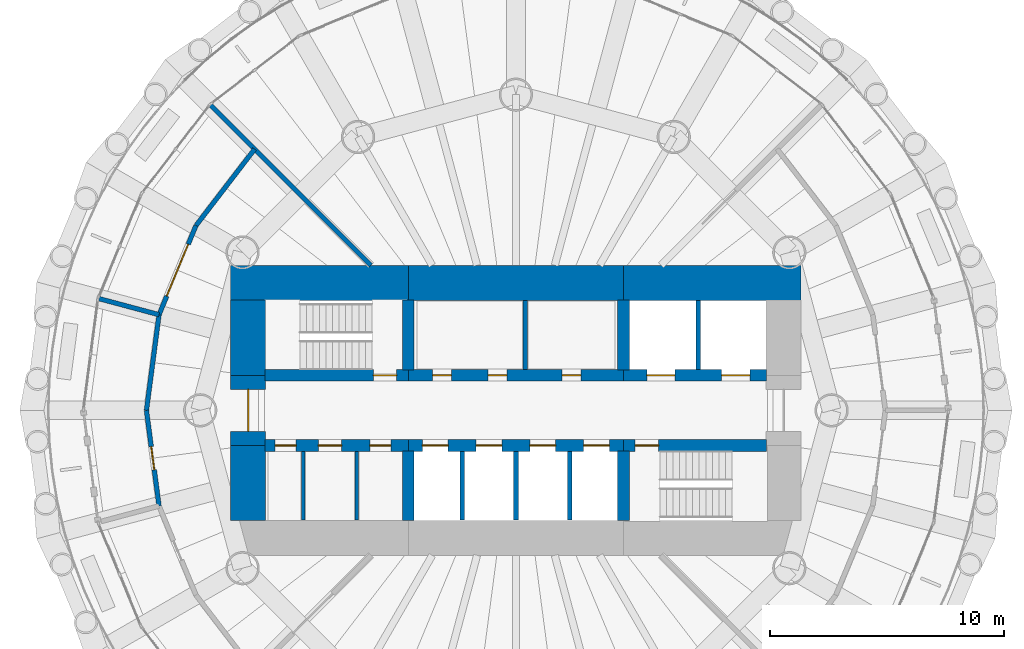
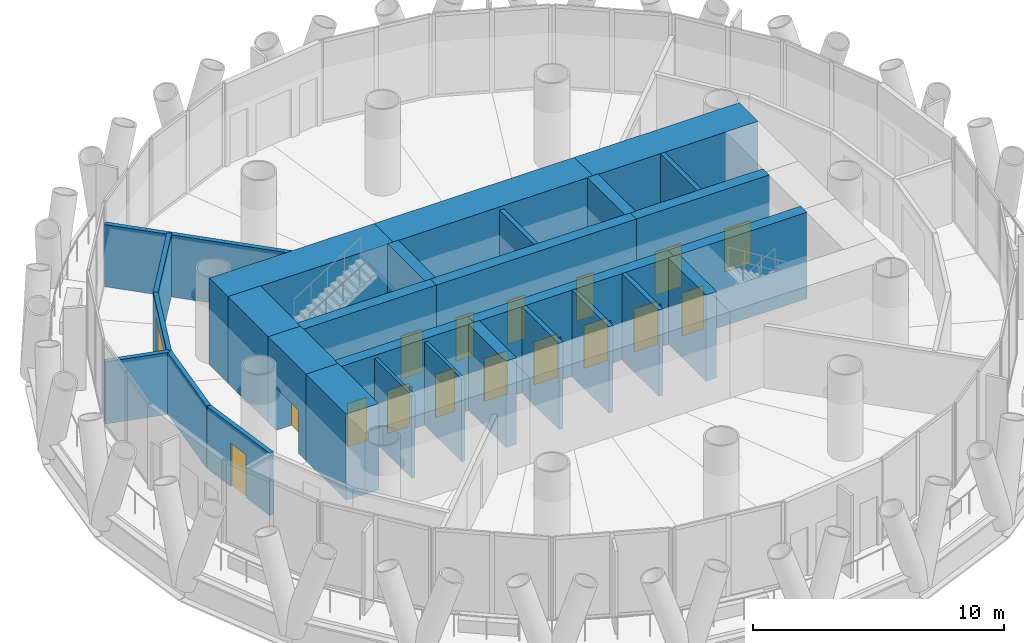
# One storey, part 8 of 12: 29 walls, 17 doors, 17 openings.
"""IFC4 building model written with IfcOpenShell, lengths in metres."""

from ifc_helpers import new_model, si_unit, direction, frame, frame_2d, origin, place, context, subcontext, project, spatial, rectangle, extrude, material, layer, layer_set, type_object, element, fill, save


model = new_model("IFC4")

# Units and contexts
model_context = context("Model", 3, precision=1e-05, world=origin(), true_north=direction((0.0, 1.0)))
body_context = subcontext(model_context, "Body", "Model", "MODEL_VIEW")
ifc_project = project(units=[si_unit("LENGTHUNIT", "METRE"), si_unit("AREAUNIT", "SQUARE_METRE"), si_unit("VOLUMEUNIT", "CUBIC_METRE"), si_unit("PLANEANGLEUNIT", "RADIAN"), si_unit("MASSUNIT", "GRAM", prefix="KILO")], contexts=[model_context])

# Site, building, storey
site_placement = place(None, origin())
site = spatial("IfcSite", under=ifc_project, at=site_placement, CompositionType="ELEMENT")
building_placement = place(site_placement, origin())
building = spatial("IfcBuilding", under=site, at=building_placement, Name="Qaws Media Tower", CompositionType="ELEMENT")
storey_placement = place(building_placement, frame((0.0, 0.0, 278.0)))
storey = spatial("IfcBuildingStorey", under=building, at=storey_placement, Name="L64", CompositionType="ELEMENT", Elevation=278.0)

# Wall, opening, door
ifc_material_1 = material(Name="Concrete C60/75", Category="concrete")
ifc_layer_1 = layer(ifc_material_1, 0.5)
ifc_layer_set_1 = layer_set([ifc_layer_1], Name="Core inner wall 500")
wall_type_1 = type_object("IfcWallType", Name="Core inner wall 500", PredefinedType="SHEAR", material=ifc_layer_set_1)
wall_1_placement = place(storey_placement, frame((49.280029296875, 51.5, 0.0), z_axis=(0.0, 0.0, 1.0), x_axis=(1.0, 0.0, 0.0)))
wall_1 = element("IfcWall", 1, at=wall_1_placement, inside=storey, type_object=wall_type_1, Name="W347 SW12 core wall SPNW L64", PredefinedType="SHEAR", context=body_context, shape_type="SweptSolid", body=[
    extrude(rectangle(XDim=6.119873046875, YDim=0.5, at=frame_2d((3.06005859375, 0.0))), origin(), (0.0, 0.0, 1.0), 4.199951171875),
])
opening_1_placement = place(wall_1_placement, frame((4.6201171875, 0.0, 0.0)))
opening_1 = element("IfcOpeningElement", 2, at=opening_1_placement, cuts=wall_1, Name="Opening D1", PredefinedType="OPENING", context=body_context, shape_type="SweptSolid", body=[
    extrude(rectangle(XDim=1.0, YDim=2.10009765625, at=frame_2d((0.5, 1.050048828125))), frame((0.0, 0.260009765625, 0.0), z_axis=(0.0, -1.0, 0.0), x_axis=(1.0, 0.0, 0.0)), (0.0, 0.0, 1.0), 0.52001953125),
])
ifc_material_2 = material(Name="Steel, fire rated", Category="steel")
door_type_1 = type_object("IfcDoorType", Name="Stair door 1000 FD120", OperationType="SINGLE_SWING_LEFT", PredefinedType="DOOR", material=ifc_material_2)
door_1_placement = place(opening_1_placement, origin())
door_1 = element("IfcDoor", 3, at=door_1_placement, inside=storey, type_object=door_type_1, Name="D1 stair S1 door L64 in wall W347", OperationType="SINGLE_SWING_LEFT", OverallHeight=2.10009765625, OverallWidth=1.0, PredefinedType="DOOR", context=body_context, shape_type="SweptSolid", body=[
    extrude(rectangle(XDim=1.0, YDim=2.10009765625, at=frame_2d((0.5, 1.050048828125))), frame((0.0, 0.02490234375, 0.0), z_axis=(0.0, -1.0, 0.0), x_axis=(1.0, 0.0, 0.0)), (0.0, 0.0, 1.0), 0.050048828125),
])
fill(opening_1, door_1)

# Wall, openings, doors
wall_2_placement = place(storey_placement, frame((55.39990234375, 51.5, 0.0), z_axis=(0.0, 0.0, 1.0), x_axis=(1.0, 0.0, 0.0)))
wall_2 = element("IfcWall", 4, at=wall_2_placement, inside=storey, type_object=wall_type_1, Name="W332 SW12 core wall SPN L64", PredefinedType="SHEAR", context=body_context, shape_type="SweptSolid", body=[
    extrude(rectangle(XDim=9.2001953125, YDim=0.5, at=frame_2d((4.60009765625, 0.0))), origin(), (0.0, 0.0, 1.0), 4.199951171875),
])
opening_2_placement = place(wall_2_placement, frame((1.036376953125, 0.0, 0.0)))
opening_2 = element("IfcOpeningElement", 5, at=opening_2_placement, cuts=wall_2, Name="Opening D23", PredefinedType="OPENING", context=body_context, shape_type="SweptSolid", body=[
    extrude(rectangle(XDim=0.800048828125, YDim=2.10009765625, at=frame_2d((0.39990234375, 1.050048828125))), frame((0.0, 0.260009765625, 0.0), z_axis=(0.0, -1.0, 0.0), x_axis=(1.0, 0.0, 0.0)), (0.0, 0.0, 1.0), 0.52001953125),
])
opening_3_placement = place(wall_2_placement, frame((3.4091796875, 0.0, 0.0)))
opening_3 = element("IfcOpeningElement", 6, at=opening_3_placement, cuts=wall_2, Name="Opening D23", PredefinedType="OPENING", context=body_context, shape_type="SweptSolid", body=[
    extrude(rectangle(XDim=0.800048828125, YDim=2.10009765625, at=frame_2d((0.39990234375, 1.050048828125))), frame((0.0, 0.260009765625, 0.0), z_axis=(0.0, -1.0, 0.0), x_axis=(1.0, 0.0, 0.0)), (0.0, 0.0, 1.0), 0.52001953125),
])
opening_4_placement = place(wall_2_placement, frame((6.57275390625, 0.0, 0.0)))
opening_4 = element("IfcOpeningElement", 7, at=opening_4_placement, cuts=wall_2, Name="Opening D23", PredefinedType="OPENING", context=body_context, shape_type="SweptSolid", body=[
    extrude(rectangle(XDim=0.800048828125, YDim=2.10009765625, at=frame_2d((0.39990234375, 1.050048828125))), frame((0.0, 0.260009765625, 0.0), z_axis=(0.0, -1.0, 0.0), x_axis=(1.0, 0.0, 0.0)), (0.0, 0.0, 1.0), 0.52001953125),
])
ifc_material_3 = material(Name="Steel, fire rated", Category="steel")
door_type_2 = type_object("IfcDoorType", Name="Core room door 800x2100", OperationType="SINGLE_SWING_LEFT", PredefinedType="DOOR", material=ifc_material_3)
door_2_placement = place(opening_2_placement, origin())
door_2 = element("IfcDoor", 8, at=door_2_placement, inside=storey, type_object=door_type_2, Name="D23 Ladies toilets door L64 1 in wall W332", OperationType="SINGLE_SWING_LEFT", OverallHeight=2.10009765625, OverallWidth=0.800048828125, PredefinedType="DOOR", context=body_context, shape_type="SweptSolid", body=[
    extrude(rectangle(XDim=0.800048828125, YDim=2.10009765625, at=frame_2d((0.39990234375, 1.050048828125))), frame((0.0, 0.02490234375, 0.0), z_axis=(0.0, -1.0, 0.0), x_axis=(1.0, 0.0, 0.0)), (0.0, 0.0, 1.0), 0.050048828125),
])
fill(opening_2, door_2)
door_3_placement = place(opening_3_placement, origin())
door_3 = element("IfcDoor", 9, at=door_3_placement, inside=storey, type_object=door_type_2, Name="D23 Ladies toilets door L64 2 in wall W332", OperationType="SINGLE_SWING_LEFT", OverallHeight=2.10009765625, OverallWidth=0.800048828125, PredefinedType="DOOR", context=body_context, shape_type="SweptSolid", body=[
    extrude(rectangle(XDim=0.800048828125, YDim=2.10009765625, at=frame_2d((0.39990234375, 1.050048828125))), frame((0.0, 0.02490234375, 0.0), z_axis=(0.0, -1.0, 0.0), x_axis=(1.0, 0.0, 0.0)), (0.0, 0.0, 1.0), 0.050048828125),
])
fill(opening_3, door_3)
door_4_placement = place(opening_4_placement, origin())
door_4 = element("IfcDoor", 10, at=door_4_placement, inside=storey, type_object=door_type_2, Name="D23 Gents toilets door L64 in wall W332", OperationType="SINGLE_SWING_LEFT", OverallHeight=2.10009765625, OverallWidth=0.800048828125, PredefinedType="DOOR", context=body_context, shape_type="SweptSolid", body=[
    extrude(rectangle(XDim=0.800048828125, YDim=2.10009765625, at=frame_2d((0.39990234375, 1.050048828125))), frame((0.0, 0.02490234375, 0.0), z_axis=(0.0, -1.0, 0.0), x_axis=(1.0, 0.0, 0.0)), (0.0, 0.0, 1.0), 0.050048828125),
])
fill(opening_4, door_4)

wall_3_placement = place(storey_placement, frame((64.60009765625, 51.5, 0.0), z_axis=(0.0, 0.0, 1.0), x_axis=(1.0, 0.0, 0.0)))
wall_3 = element("IfcWall", 11, at=wall_3_placement, inside=storey, type_object=wall_type_1, Name="W352 SW12 core wall SPNE L64", PredefinedType="SHEAR", context=body_context, shape_type="SweptSolid", body=[
    extrude(rectangle(XDim=6.119873046875, YDim=0.5, at=frame_2d((3.06005859375, 0.0))), origin(), (0.0, 0.0, 1.0), 4.199951171875),
])
opening_5_placement = place(wall_3_placement, frame((1.0, 0.0, 0.0)))
opening_5 = element("IfcOpeningElement", 12, at=opening_5_placement, cuts=wall_3, Name="Opening LD2", PredefinedType="OPENING", context=body_context, shape_type="SweptSolid", body=[
    extrude(rectangle(XDim=1.199951171875, YDim=2.10009765625, at=frame_2d((0.60009765625, 1.050048828125))), frame((0.0, 0.260009765625, 0.0), z_axis=(0.0, -1.0, 0.0), x_axis=(1.0, 0.0, 0.0)), (0.0, 0.0, 1.0), 0.52001953125),
])
opening_6_placement = place(wall_3_placement, frame((4.199951171875, 0.0, 0.0)))
opening_6 = element("IfcOpeningElement", 13, at=opening_6_placement, cuts=wall_3, Name="Opening LD2", PredefinedType="OPENING", context=body_context, shape_type="SweptSolid", body=[
    extrude(rectangle(XDim=1.199951171875, YDim=2.10009765625, at=frame_2d((0.60009765625, 1.050048828125))), frame((0.0, 0.260009765625, 0.0), z_axis=(0.0, -1.0, 0.0), x_axis=(1.0, 0.0, 0.0)), (0.0, 0.0, 1.0), 0.52001953125),
])
ifc_material_4 = material(Name="Steel, fire rated", Category="steel")
door_type_3 = type_object("IfcDoorType", Name="Lift landing door 1200", OperationType="SLIDING_TO_LEFT", PredefinedType="DOOR", material=ifc_material_4)
door_5_placement = place(opening_5_placement, origin())
door_5 = element("IfcDoor", 14, at=door_5_placement, inside=storey, type_object=door_type_3, Name="FL1 landing door L64 in wall W352", OperationType="SLIDING_TO_LEFT", OverallHeight=2.10009765625, OverallWidth=1.199951171875, PredefinedType="DOOR", context=body_context, shape_type="SweptSolid", body=[
    extrude(rectangle(XDim=1.199951171875, YDim=2.10009765625, at=frame_2d((0.60009765625, 1.050048828125))), frame((0.0, 0.02490234375, 0.0), z_axis=(0.0, -1.0, 0.0), x_axis=(1.0, 0.0, 0.0)), (0.0, 0.0, 1.0), 0.050048828125),
])
fill(opening_5, door_5)
door_6_placement = place(opening_6_placement, origin())
door_6 = element("IfcDoor", 15, at=door_6_placement, inside=storey, type_object=door_type_3, Name="FL2 landing door L64 in wall W352", OperationType="SLIDING_TO_LEFT", OverallHeight=2.10009765625, OverallWidth=1.199951171875, PredefinedType="DOOR", context=body_context, shape_type="SweptSolid", body=[
    extrude(rectangle(XDim=1.199951171875, YDim=2.10009765625, at=frame_2d((0.60009765625, 1.050048828125))), frame((0.0, 0.02490234375, 0.0), z_axis=(0.0, -1.0, 0.0), x_axis=(1.0, 0.0, 0.0)), (0.0, 0.0, 1.0), 0.050048828125),
])
fill(opening_6, door_6)

wall_4_placement = place(storey_placement, frame((49.280029296875, 48.5, 0.0), z_axis=(0.0, 0.0, 1.0), x_axis=(1.0, 0.0, 0.0)))
wall_4 = element("IfcWall", 16, at=wall_4_placement, inside=storey, type_object=wall_type_1, Name="W346 SW12 core wall SPSW L64", PredefinedType="SHEAR", context=body_context, shape_type="SweptSolid", body=[
    extrude(rectangle(XDim=6.119873046875, YDim=0.5, at=frame_2d((3.06005859375, 0.0))), origin(), (0.0, 0.0, 1.0), 4.199951171875),
])
opening_7_placement = place(wall_4_placement, frame((0.419921875, 0.0, 0.0)))
opening_7 = element("IfcOpeningElement", 17, at=opening_7_placement, cuts=wall_4, Name="Opening D25", PredefinedType="OPENING", context=body_context, shape_type="SweptSolid", body=[
    extrude(rectangle(XDim=0.89990234375, YDim=2.10009765625, at=frame_2d((0.449951171875, 1.050048828125))), frame((0.0, 0.260009765625, 0.0), z_axis=(0.0, -1.0, 0.0), x_axis=(1.0, 0.0, 0.0)), (0.0, 0.0, 1.0), 0.52001953125),
])
opening_8_placement = place(wall_4_placement, frame((2.27001953125, 0.0, 0.0)))
opening_8 = element("IfcOpeningElement", 18, at=opening_8_placement, cuts=wall_4, Name="Opening D4", PredefinedType="OPENING", context=body_context, shape_type="SweptSolid", body=[
    extrude(rectangle(XDim=1.0, YDim=2.10009765625, at=frame_2d((0.5, 1.050048828125))), frame((0.0, 0.260009765625, 0.0), z_axis=(0.0, -1.0, 0.0), x_axis=(1.0, 0.0, 0.0)), (0.0, 0.0, 1.0), 0.52001953125),
])
opening_9_placement = place(wall_4_placement, frame((4.469970703125, 0.0, 0.0)))
opening_9 = element("IfcOpeningElement", 19, at=opening_9_placement, cuts=wall_4, Name="Opening D25", PredefinedType="OPENING", context=body_context, shape_type="SweptSolid", body=[
    extrude(rectangle(XDim=0.89990234375, YDim=2.10009765625, at=frame_2d((0.449951171875, 1.050048828125))), frame((0.0, 0.260009765625, 0.0), z_axis=(0.0, -1.0, 0.0), x_axis=(1.0, 0.0, 0.0)), (0.0, 0.0, 1.0), 0.52001953125),
])
ifc_material_5 = material(Name="Timber veneered", Category="wood")
door_type_4 = type_object("IfcDoorType", Name="Accessible WC door 1000", OperationType="SLIDING_TO_LEFT", PredefinedType="DOOR", material=ifc_material_5)
door_7_placement = place(opening_8_placement, origin())
door_7 = element("IfcDoor", 20, at=door_7_placement, inside=storey, type_object=door_type_4, Name="D4 toilet door 2 L64 in wall W346", OperationType="SLIDING_TO_LEFT", OverallHeight=2.10009765625, OverallWidth=1.0, PredefinedType="DOOR", context=body_context, shape_type="SweptSolid", body=[
    extrude(rectangle(XDim=1.0, YDim=2.10009765625, at=frame_2d((0.5, 1.050048828125))), frame((0.0, 0.02490234375, 0.0), z_axis=(0.0, -1.0, 0.0), x_axis=(1.0, 0.0, 0.0)), (0.0, 0.0, 1.0), 0.050048828125),
])
fill(opening_8, door_7)
ifc_material_6 = material(Name="Steel, fire rated", Category="steel")
door_type_5 = type_object("IfcDoorType", Name="Core service door 900", OperationType="SINGLE_SWING_RIGHT", PredefinedType="DOOR", material=ifc_material_6)
door_8_placement = place(opening_7_placement, origin())
door_8 = element("IfcDoor", 21, at=door_8_placement, inside=storey, type_object=door_type_5, Name="D25 toilet door 1 L64 in wall W346", OperationType="SINGLE_SWING_RIGHT", OverallHeight=2.10009765625, OverallWidth=0.89990234375, PredefinedType="DOOR", context=body_context, shape_type="SweptSolid", body=[
    extrude(rectangle(XDim=0.89990234375, YDim=2.10009765625, at=frame_2d((0.449951171875, 1.050048828125))), frame((0.0, 0.02490234375, 0.0), z_axis=(0.0, -1.0, 0.0), x_axis=(1.0, 0.0, 0.0)), (0.0, 0.0, 1.0), 0.050048828125),
])
fill(opening_7, door_8)
door_9_placement = place(opening_9_placement, origin())
door_9 = element("IfcDoor", 22, at=door_9_placement, inside=storey, type_object=door_type_5, Name="D25 toilet door 3 L64 in wall W346", OperationType="SINGLE_SWING_RIGHT", OverallHeight=2.10009765625, OverallWidth=0.89990234375, PredefinedType="DOOR", context=body_context, shape_type="SweptSolid", body=[
    extrude(rectangle(XDim=0.89990234375, YDim=2.10009765625, at=frame_2d((0.449951171875, 1.050048828125))), frame((0.0, 0.02490234375, 0.0), z_axis=(0.0, -1.0, 0.0), x_axis=(1.0, 0.0, 0.0)), (0.0, 0.0, 1.0), 0.050048828125),
])
fill(opening_9, door_9)

wall_5_placement = place(storey_placement, frame((55.39990234375, 48.5, 0.0), z_axis=(0.0, 0.0, 1.0), x_axis=(1.0, 0.0, 0.0)))
wall_5 = element("IfcWall", 23, at=wall_5_placement, inside=storey, type_object=wall_type_1, Name="W331 SW12 core wall SPS L64", PredefinedType="SHEAR", context=body_context, shape_type="SweptSolid", body=[
    extrude(rectangle(XDim=9.2001953125, YDim=0.5, at=frame_2d((4.60009765625, 0.0))), origin(), (0.0, 0.0, 1.0), 4.199951171875),
])
opening_10_placement = place(wall_5_placement, frame((0.60009765625, 0.0, 0.0)))
opening_10 = element("IfcOpeningElement", 24, at=opening_10_placement, cuts=wall_5, Name="Opening LD", PredefinedType="OPENING", context=body_context, shape_type="SweptSolid", body=[
    extrude(rectangle(XDim=1.10009765625, YDim=2.10009765625, at=frame_2d((0.550048828125, 1.050048828125))), frame((0.0, 0.260009765625, 0.0), z_axis=(0.0, -1.0, 0.0), x_axis=(1.0, 0.0, 0.0)), (0.0, 0.0, 1.0), 0.52001953125),
])
opening_11_placement = place(wall_5_placement, frame((2.89990234375, 0.0, 0.0)))
opening_11 = element("IfcOpeningElement", 25, at=opening_11_placement, cuts=wall_5, Name="Opening LD", PredefinedType="OPENING", context=body_context, shape_type="SweptSolid", body=[
    extrude(rectangle(XDim=1.10009765625, YDim=2.10009765625, at=frame_2d((0.550048828125, 1.050048828125))), frame((0.0, 0.260009765625, 0.0), z_axis=(0.0, -1.0, 0.0), x_axis=(1.0, 0.0, 0.0)), (0.0, 0.0, 1.0), 0.52001953125),
])
opening_12_placement = place(wall_5_placement, frame((5.199951171875, 0.0, 0.0)))
opening_12 = element("IfcOpeningElement", 26, at=opening_12_placement, cuts=wall_5, Name="Opening LD", PredefinedType="OPENING", context=body_context, shape_type="SweptSolid", body=[
    extrude(rectangle(XDim=1.10009765625, YDim=2.10009765625, at=frame_2d((0.550048828125, 1.050048828125))), frame((0.0, 0.260009765625, 0.0), z_axis=(0.0, -1.0, 0.0), x_axis=(1.0, 0.0, 0.0)), (0.0, 0.0, 1.0), 0.52001953125),
])
opening_13_placement = place(wall_5_placement, frame((7.5, 0.0, 0.0)))
opening_13 = element("IfcOpeningElement", 27, at=opening_13_placement, cuts=wall_5, Name="Opening LD", PredefinedType="OPENING", context=body_context, shape_type="SweptSolid", body=[
    extrude(rectangle(XDim=1.10009765625, YDim=2.10009765625, at=frame_2d((0.550048828125, 1.050048828125))), frame((0.0, 0.260009765625, 0.0), z_axis=(0.0, -1.0, 0.0), x_axis=(1.0, 0.0, 0.0)), (0.0, 0.0, 1.0), 0.52001953125),
])
ifc_material_7 = material(Name="Steel, fire rated", Category="steel")
door_type_6 = type_object("IfcDoorType", Name="Lift landing door 1100", OperationType="SLIDING_TO_LEFT", PredefinedType="DOOR", material=ifc_material_7)
door_10_placement = place(opening_10_placement, origin())
door_10 = element("IfcDoor", 28, at=door_10_placement, inside=storey, type_object=door_type_6, Name="P5 landing door L64 in wall W331", OperationType="SLIDING_TO_LEFT", OverallHeight=2.10009765625, OverallWidth=1.10009765625, PredefinedType="DOOR", context=body_context, shape_type="SweptSolid", body=[
    extrude(rectangle(XDim=1.10009765625, YDim=2.10009765625, at=frame_2d((0.550048828125, 1.050048828125))), frame((0.0, 0.02490234375, 0.0), z_axis=(0.0, -1.0, 0.0), x_axis=(1.0, 0.0, 0.0)), (0.0, 0.0, 1.0), 0.050048828125),
])
fill(opening_10, door_10)
door_11_placement = place(opening_11_placement, origin())
door_11 = element("IfcDoor", 29, at=door_11_placement, inside=storey, type_object=door_type_6, Name="P6 landing door L64 in wall W331", OperationType="SLIDING_TO_LEFT", OverallHeight=2.10009765625, OverallWidth=1.10009765625, PredefinedType="DOOR", context=body_context, shape_type="SweptSolid", body=[
    extrude(rectangle(XDim=1.10009765625, YDim=2.10009765625, at=frame_2d((0.550048828125, 1.050048828125))), frame((0.0, 0.02490234375, 0.0), z_axis=(0.0, -1.0, 0.0), x_axis=(1.0, 0.0, 0.0)), (0.0, 0.0, 1.0), 0.050048828125),
])
fill(opening_11, door_11)
door_12_placement = place(opening_12_placement, origin())
door_12 = element("IfcDoor", 30, at=door_12_placement, inside=storey, type_object=door_type_6, Name="P7 landing door L64 in wall W331", OperationType="SLIDING_TO_LEFT", OverallHeight=2.10009765625, OverallWidth=1.10009765625, PredefinedType="DOOR", context=body_context, shape_type="SweptSolid", body=[
    extrude(rectangle(XDim=1.10009765625, YDim=2.10009765625, at=frame_2d((0.550048828125, 1.050048828125))), frame((0.0, 0.02490234375, 0.0), z_axis=(0.0, -1.0, 0.0), x_axis=(1.0, 0.0, 0.0)), (0.0, 0.0, 1.0), 0.050048828125),
])
fill(opening_12, door_12)
door_13_placement = place(opening_13_placement, origin())
door_13 = element("IfcDoor", 31, at=door_13_placement, inside=storey, type_object=door_type_6, Name="P8 landing door L64 in wall W331", OperationType="SLIDING_TO_LEFT", OverallHeight=2.10009765625, OverallWidth=1.10009765625, PredefinedType="DOOR", context=body_context, shape_type="SweptSolid", body=[
    extrude(rectangle(XDim=1.10009765625, YDim=2.10009765625, at=frame_2d((0.550048828125, 1.050048828125))), frame((0.0, 0.02490234375, 0.0), z_axis=(0.0, -1.0, 0.0), x_axis=(1.0, 0.0, 0.0)), (0.0, 0.0, 1.0), 0.050048828125),
])
fill(opening_13, door_13)

# Wall, opening, door
wall_6_placement = place(storey_placement, frame((64.60009765625, 48.5, 0.0), z_axis=(0.0, 0.0, 1.0), x_axis=(1.0, 0.0, 0.0)))
wall_6 = element("IfcWall", 32, at=wall_6_placement, inside=storey, type_object=wall_type_1, Name="W351 SW12 core wall SPSE L64", PredefinedType="SHEAR", context=body_context, shape_type="SweptSolid", body=[
    extrude(rectangle(XDim=6.119873046875, YDim=0.5, at=frame_2d((3.06005859375, 0.0))), origin(), (0.0, 0.0, 1.0), 4.199951171875),
])
opening_14_placement = place(wall_6_placement, frame((0.5, 0.0, 0.0)))
opening_14 = element("IfcOpeningElement", 33, at=opening_14_placement, cuts=wall_6, Name="Opening D1", PredefinedType="OPENING", context=body_context, shape_type="SweptSolid", body=[
    extrude(rectangle(XDim=1.0, YDim=2.10009765625, at=frame_2d((0.5, 1.050048828125))), frame((0.0, 0.260009765625, 0.0), z_axis=(0.0, -1.0, 0.0), x_axis=(1.0, 0.0, 0.0)), (0.0, 0.0, 1.0), 0.52001953125),
])
door_14_placement = place(opening_14_placement, origin())
door_14 = element("IfcDoor", 34, at=door_14_placement, inside=storey, type_object=door_type_1, Name="D1 stair S2 door L64 in wall W351", OperationType="SINGLE_SWING_LEFT", OverallHeight=2.10009765625, OverallWidth=1.0, PredefinedType="DOOR", context=body_context, shape_type="SweptSolid", body=[
    extrude(rectangle(XDim=1.0, YDim=2.10009765625, at=frame_2d((0.5, 1.050048828125))), frame((0.0, 0.02490234375, 0.0), z_axis=(0.0, -1.0, 0.0), x_axis=(1.0, 0.0, 0.0)), (0.0, 0.0, 1.0), 0.050048828125),
])
fill(opening_14, door_14)

# Walls
for number, where, z_axis, x_axis, name in (
    (35, (55.39990234375, 51.72998046875, 0.0), (0.0, 0.0, 1.0), (0.0, 1.0, 0.0), "W349 SW12 core wall XNW L64"),
    (36, (64.60009765625, 51.72998046875, 0.0), (0.0, 0.0, 1.0), (0.0, 1.0, 0.0), "W353 SW12 core wall XNE L64"),
    (37, (55.39990234375, 48.27001953125, 0.0), (0.0, 0.0, 1.0), (0.0, -1.0, 0.0), "W348 SW12 core wall XSW L64"),
    (38, (64.60009765625, 48.27001953125, 0.0), (0.0, 0.0, 1.0), (0.0, -1.0, 0.0), "W350 SW12 core wall XSE L64"),
):
    element("IfcWall", number, at=place(storey_placement, frame(where, z_axis=z_axis, x_axis=x_axis)), inside=storey, type_object=wall_type_1, Name=name, PredefinedType="SHEAR", context=body_context, shape_type="SweptSolid", body=[
        extrude(rectangle(XDim=2.989990234375, YDim=0.5, at=frame_2d((1.4951171875, 0.0))), origin(), (0.0, 0.0, 1.0), 4.199951171875),
    ])
ifc_material_8 = material(Name="Concrete C60/75", Category="concrete")
ifc_layer_2 = layer(ifc_material_8, 1.5)
ifc_layer_set_2 = layer_set([ifc_layer_2], Name="Core wall 1500")
wall_type_2 = type_object("IfcWallType", Name="Core wall 1500", PredefinedType="SHEAR", material=ifc_layer_set_2)
wall_7_placement = place(storey_placement, frame((47.800048828125, 55.449951171875, 0.0), z_axis=(0.0, 0.0, 1.0), x_axis=(1.0, 0.0, 0.0)))
element("IfcWall", 39, at=wall_7_placement, inside=storey, type_object=wall_type_2, Name="W377 SW13 core wall NW L64", PredefinedType="SHEAR", context=body_context, shape_type="SweptSolid", body=[
    extrude(rectangle(XDim=7.599853515625, YDim=1.5, at=frame_2d((3.7998046875, 0.0))), origin(), (0.0, 0.0, 1.0), 4.199951171875),
])
wall_8_placement = place(storey_placement, frame((55.39990234375, 55.449951171875, 0.0), z_axis=(0.0, 0.0, 1.0), x_axis=(1.0, 0.0, 0.0)))
element("IfcWall", 40, at=wall_8_placement, inside=storey, type_object=wall_type_2, Name="W373 SW13 core wall N L64", PredefinedType="SHEAR", context=body_context, shape_type="SweptSolid", body=[
    extrude(rectangle(XDim=9.2001953125, YDim=1.5, at=frame_2d((4.60009765625, 0.0))), origin(), (0.0, 0.0, 1.0), 4.199951171875),
])
wall_9_placement = place(storey_placement, frame((64.60009765625, 55.449951171875, 0.0), z_axis=(0.0, 0.0, 1.0), x_axis=(1.0, 0.0, 0.0)))
element("IfcWall", 41, at=wall_9_placement, inside=storey, type_object=wall_type_2, Name="W382 SW13 core wall NE L64", PredefinedType="SHEAR", context=body_context, shape_type="SweptSolid", body=[
    extrude(rectangle(XDim=7.599853515625, YDim=1.5, at=frame_2d((3.7998046875, 0.0))), origin(), (0.0, 0.0, 1.0), 4.199951171875),
])
wall_10_placement = place(storey_placement, frame((48.550048828125, 45.280029296875, 0.0), z_axis=(0.0, 0.0, 1.0), x_axis=(0.0, 1.0, 0.0)))
element("IfcWall", 42, at=wall_10_placement, inside=storey, type_object=wall_type_2, Name="W378 SW13 core wall WS L64", PredefinedType="SHEAR", context=body_context, shape_type="SweptSolid", body=[
    extrude(rectangle(XDim=3.219970703125, YDim=1.5, at=frame_2d((1.60986328125, 0.0))), origin(), (0.0, 0.0, 1.0), 4.199951171875),
])

# Wall, opening, door
wall_11_placement = place(storey_placement, frame((48.550048828125, 48.5, 0.0), z_axis=(0.0, 0.0, 1.0), x_axis=(0.0, 1.0, 0.0)))
wall_11 = element("IfcWall", 43, at=wall_11_placement, inside=storey, type_object=wall_type_2, Name="W379 SW13 core wall W L64", PredefinedType="SHEAR", context=body_context, shape_type="SweptSolid", body=[
    extrude(rectangle(XDim=3.0, YDim=1.5, at=frame_2d((1.5, 0.0))), origin(), (0.0, 0.0, 1.0), 4.199951171875),
])
opening_15_placement = place(wall_11_placement, frame((0.60009765625, 0.0, 0.0)))
opening_15 = element("IfcOpeningElement", 44, at=opening_15_placement, cuts=wall_11, Name="Opening D2", PredefinedType="OPENING", context=body_context, shape_type="SweptSolid", body=[
    extrude(rectangle(XDim=1.800048828125, YDim=2.10009765625, at=frame_2d((0.89990234375, 1.050048828125))), frame((0.0, 0.760009765625, 0.0), z_axis=(0.0, -1.0, 0.0), x_axis=(1.0, 0.0, 0.0)), (0.0, 0.0, 1.0), 1.52001953125),
])
ifc_material_9 = material(Name="Steel and glass, fire rated", Category="steel")
door_type_7 = type_object("IfcDoorType", Name="Lobby door pair 1800 FD60", OperationType="DOUBLE_DOOR_DOUBLE_SWING", PredefinedType="DOOR", material=ifc_material_9)
door_15_placement = place(opening_15_placement, origin())
door_15 = element("IfcDoor", 45, at=door_15_placement, inside=storey, type_object=door_type_7, Name="D2 core lobby door W L64 in wall W379", OperationType="DOUBLE_DOOR_DOUBLE_SWING", OverallHeight=2.10009765625, OverallWidth=1.800048828125, PredefinedType="DOOR", context=body_context, shape_type="SweptSolid", body=[
    extrude(rectangle(XDim=1.800048828125, YDim=2.10009765625, at=frame_2d((0.89990234375, 1.050048828125))), frame((0.0, 0.02490234375, 0.0), z_axis=(0.0, -1.0, 0.0), x_axis=(1.0, 0.0, 0.0)), (0.0, 0.0, 1.0), 0.050048828125),
])
fill(opening_15, door_15)

# Wall
wall_12_placement = place(storey_placement, frame((48.550048828125, 51.5, 0.0), z_axis=(0.0, 0.0, 1.0), x_axis=(0.0, 1.0, 0.0)))
element("IfcWall", 46, at=wall_12_placement, inside=storey, type_object=wall_type_2, Name="W380 SW13 core wall WN L64", PredefinedType="SHEAR", context=body_context, shape_type="SweptSolid", body=[
    extrude(rectangle(XDim=3.219970703125, YDim=1.5, at=frame_2d((1.60986328125, 0.0))), origin(), (0.0, 0.0, 1.0), 4.199951171875),
])

# Wall, opening, door
ifc_material_10 = material(Name="Gypsum board on galvanised metal studs, acoustic double stud, deflection head", Category="gypsum")
ifc_layer_3 = layer(ifc_material_10, 0.199951171875)
ifc_layer_set_3 = layer_set([ifc_layer_3], Name="Room partition 200")
wall_type_3 = type_object("IfcWallType", Name="Room partition 200", PredefinedType="PARTITIONING", material=ifc_layer_set_3)
wall_13_placement = place(storey_placement, frame((44.73828125, 45.91064453125, 0.0), z_axis=(0.0, 0.0, 1.0), x_axis=(-0.130515758099, 0.991446234996, 0.0)))
wall_13 = element("IfcWall", 47, at=wall_13_placement, inside=storey, type_object=wall_type_3, Name="W1709 IW3 partition L64", PredefinedType="PARTITIONING", context=body_context, shape_type="SweptSolid", body=[
    extrude(rectangle(XDim=4.124755859375, YDim=0.199951171875, at=frame_2d((2.0625, 0.0))), origin(), (0.0, 0.0, 1.0), 3.02001953125),
])
opening_16_placement = place(wall_13_placement, frame((1.562255859375, 0.0, 0.0)))
opening_16 = element("IfcOpeningElement", 48, at=opening_16_placement, cuts=wall_13, Name="Opening D5", PredefinedType="OPENING", context=body_context, shape_type="SweptSolid", body=[
    extrude(rectangle(XDim=1.0, YDim=2.10009765625, at=frame_2d((0.5, 1.050048828125))), frame((0.0, 0.10986328125, 0.0), z_axis=(0.0, -1.0, 0.0), x_axis=(1.0, 0.0, 0.0)), (0.0, 0.0, 1.0), 0.219970703125),
])
ifc_material_11 = material(Name="Timber veneered, acoustic seal", Category="wood")
door_type_8 = type_object("IfcDoorType", Name="Room door 1000", OperationType="SINGLE_SWING_LEFT", PredefinedType="DOOR", material=ifc_material_11)
door_16_placement = place(opening_16_placement, origin())
door_16 = element("IfcDoor", 49, at=door_16_placement, inside=storey, type_object=door_type_8, Name="D5 Servery door L64 in wall W1709", OperationType="SINGLE_SWING_LEFT", OverallHeight=2.10009765625, OverallWidth=1.0, PredefinedType="DOOR", context=body_context, shape_type="SweptSolid", body=[
    extrude(rectangle(XDim=1.0, YDim=2.10009765625, at=frame_2d((0.5, 1.050048828125))), frame((0.0, 0.02490234375, 0.0), z_axis=(0.0, -1.0, 0.0), x_axis=(1.0, 0.0, 0.0)), (0.0, 0.0, 1.0), 0.050048828125),
])
fill(opening_16, door_16)

# Wall
wall_14_placement = place(storey_placement, frame((44.199951171875, 50.0, 0.0), z_axis=(0.0, 0.0, 1.0), x_axis=(0.130515758099, 0.991446234996, 0.0)))
element("IfcWall", 50, at=wall_14_placement, inside=storey, type_object=wall_type_3, Name="W1708 IW3 partition L64", PredefinedType="PARTITIONING", context=body_context, shape_type="SweptSolid", body=[
    extrude(rectangle(XDim=4.124755859375, YDim=0.199951171875, at=frame_2d((2.0625, 0.0))), origin(), (0.0, 0.0, 1.0), 3.02001953125),
])

# Wall, opening, door
wall_15_placement = place(storey_placement, frame((44.73828125, 54.08935546875, 0.0), z_axis=(0.0, 0.0, 1.0), x_axis=(0.382731667114, 0.923859551549, 0.0)))
wall_15 = element("IfcWall", 51, at=wall_15_placement, inside=storey, type_object=wall_type_3, Name="W1710 IW3 partition L64", PredefinedType="PARTITIONING", context=body_context, shape_type="SweptSolid", body=[
    extrude(rectangle(XDim=4.12451171875, YDim=0.199951171875, at=frame_2d((2.062255859375, 0.0))), origin(), (0.0, 0.0, 1.0), 3.02001953125),
])
opening_17_placement = place(wall_15_placement, frame((0.8623046875, 0.0, 0.0)))
opening_17 = element("IfcOpeningElement", 52, at=opening_17_placement, cuts=wall_15, Name="Opening D17", PredefinedType="OPENING", context=body_context, shape_type="SweptSolid", body=[
    extrude(rectangle(XDim=2.39990234375, YDim=2.39990234375, at=frame_2d((1.199951171875, 1.199951171875))), frame((0.0, 0.10986328125, 0.0), z_axis=(0.0, -1.0, 0.0), x_axis=(1.0, 0.0, 0.0)), (0.0, 0.0, 1.0), 0.219970703125),
])
ifc_material_12 = material(Name="Timber veneered, panic hardware", Category="wood")
door_type_9 = type_object("IfcDoorType", Name="Assembly room door pair 2400x2400", OperationType="DOUBLE_DOOR_DOUBLE_SWING", PredefinedType="DOOR", material=ifc_material_12)
door_17_placement = place(opening_17_placement, origin())
door_17 = element("IfcDoor", 53, at=door_17_placement, inside=storey, type_object=door_type_9, Name="D17 Private dining room door L64 in wall W1710", OperationType="DOUBLE_DOOR_DOUBLE_SWING", OverallHeight=2.39990234375, OverallWidth=2.39990234375, PredefinedType="DOOR", context=body_context, shape_type="SweptSolid", body=[
    extrude(rectangle(XDim=2.39990234375, YDim=2.39990234375, at=frame_2d((1.199951171875, 1.199951171875))), frame((0.0, 0.02490234375, 0.0), z_axis=(0.0, -1.0, 0.0), x_axis=(1.0, 0.0, 0.0)), (0.0, 0.0, 1.0), 0.050048828125),
])
fill(opening_17, door_17)

# Walls
wall_16_placement = place(storey_placement, frame((46.31689453125, 57.89990234375, 0.0), z_axis=(0.0, 0.0, 1.0), x_axis=(0.608714823874, 0.793389099494, 0.0)))
element("IfcWall", 54, at=wall_16_placement, inside=storey, type_object=wall_type_3, Name="W1755 IW3 partition L64", PredefinedType="PARTITIONING", context=body_context, shape_type="SweptSolid", body=[
    extrude(rectangle(XDim=4.124755859375, YDim=0.199951171875, at=frame_2d((2.0625, 0.0))), origin(), (0.0, 0.0, 1.0), 3.02001953125),
])
wall_17_placement = place(storey_placement, frame((53.800048828125, 56.199951171875, 0.0), z_axis=(0.0, 0.0, 1.0), x_axis=(-0.707106781187, 0.707106781187, 0.0)))
element("IfcWall", 55, at=wall_17_placement, inside=storey, type_object=wall_type_3, Name="W1778 IW3 partition L64", PredefinedType="PARTITIONING", context=body_context, shape_type="SweptSolid", body=[
    extrude(rectangle(XDim=9.69189453125, YDim=0.199951171875, at=frame_2d((4.845947265625, 0.0))), origin(), (0.0, 0.0, 1.0), 3.02001953125),
])
wall_18_placement = place(storey_placement, frame((44.73828125, 54.08935546875, 0.0), z_axis=(0.0, 0.0, 1.0), x_axis=(-0.965923469749, 0.25882783967, 0.0)))
element("IfcWall", 56, at=wall_18_placement, inside=storey, type_object=wall_type_3, Name="W1776 IW3 partition L64", PredefinedType="PARTITIONING", context=body_context, shape_type="SweptSolid", body=[
    extrude(rectangle(XDim=2.659912109375, YDim=0.199951171875, at=frame_2d((1.330078125, 0.0))), origin(), (0.0, 0.0, 1.0), 3.02001953125),
])
wall_19_placement = place(storey_placement, frame((60.3955078125, 51.75, 0.0), z_axis=(0.0, 0.0, 1.0), x_axis=(0.0, 1.0, 0.0)))
element("IfcWall", 57, at=wall_19_placement, inside=storey, type_object=wall_type_3, Name="W1779 IW3 core room partition 1 L64", PredefinedType="PARTITIONING", context=body_context, shape_type="SweptSolid", body=[
    extrude(rectangle(XDim=2.949951171875, YDim=0.199951171875, at=frame_2d((1.47509765625, 0.0))), origin(), (0.0, 0.0, 1.0), 4.0400390625),
])
ifc_material_13 = material(Name="Fire-rated gypsum board shaft wall on galvanised metal studs, deflection head", Category="gypsum")
ifc_layer_4 = layer(ifc_material_13, 0.199951171875)
ifc_layer_set_4 = layer_set([ifc_layer_4], Name="Shaft wall 200")
wall_type_4 = type_object("IfcWallType", Name="Shaft wall 200", PredefinedType="PARTITIONING", material=ifc_layer_set_4)
for number, where, z_axis, x_axis, name in (
    (58, (57.699951171875, 45.300048828125, 0.0), (0.0, 0.0, 1.0), (0.0, 1.0, 0.0), "W1864 IW1 shaft wall S1 L64"),
    (59, (60.0, 45.300048828125, 0.0), (0.0, 0.0, 1.0), (0.0, 1.0, 0.0), "W1866 IW1 shaft wall S2 L64"),
    (60, (62.300048828125, 45.300048828125, 0.0), (0.0, 0.0, 1.0), (0.0, 1.0, 0.0), "W1868 IW1 shaft wall S3 L64"),
    (61, (67.800048828125, 51.75, 0.0), (0.0, 0.0, 1.0), (0.0, 1.0, 0.0), "W1870 IW1 shaft wall FL L64"),
):
    element("IfcWall", number, at=place(storey_placement, frame(where, z_axis=z_axis, x_axis=x_axis)), inside=storey, type_object=wall_type_4, Name=name, PredefinedType="PARTITIONING", context=body_context, shape_type="SweptSolid", body=[
        extrude(rectangle(XDim=2.949951171875, YDim=0.199951171875, at=frame_2d((1.47509765625, 0.0))), origin(), (0.0, 0.0, 1.0), 4.199951171875),
    ])
ifc_material_14 = material(Name="Gypsum board on galvanised metal studs, deflection head", Category="gypsum")
ifc_layer_5 = layer(ifc_material_14, 0.14990234375)
ifc_layer_set_5 = layer_set([ifc_layer_5], Name="WC partition 150")
wall_type_5 = type_object("IfcWallType", Name="WC partition 150", PredefinedType="PARTITIONING", material=ifc_layer_set_5)
for number, where, z_axis, x_axis, name in (
    (62, (50.89990234375, 45.300048828125, 0.0), (0.0, 0.0, 1.0), (0.0, 1.0, 0.0), "W1929 IW2 toilet partition 1 L64"),
    (63, (53.199951171875, 45.300048828125, 0.0), (0.0, 0.0, 1.0), (0.0, 1.0, 0.0), "W1920 IW2 toilet partition 2 L64"),
):
    element("IfcWall", number, at=place(storey_placement, frame(where, z_axis=z_axis, x_axis=x_axis)), inside=storey, type_object=wall_type_5, Name=name, PredefinedType="PARTITIONING", context=body_context, shape_type="SweptSolid", body=[
        extrude(rectangle(XDim=2.949951171875, YDim=0.14990234375, at=frame_2d((1.47509765625, 0.0))), origin(), (0.0, 0.0, 1.0), 4.0400390625),
    ])

save(model, "model.ifc")
